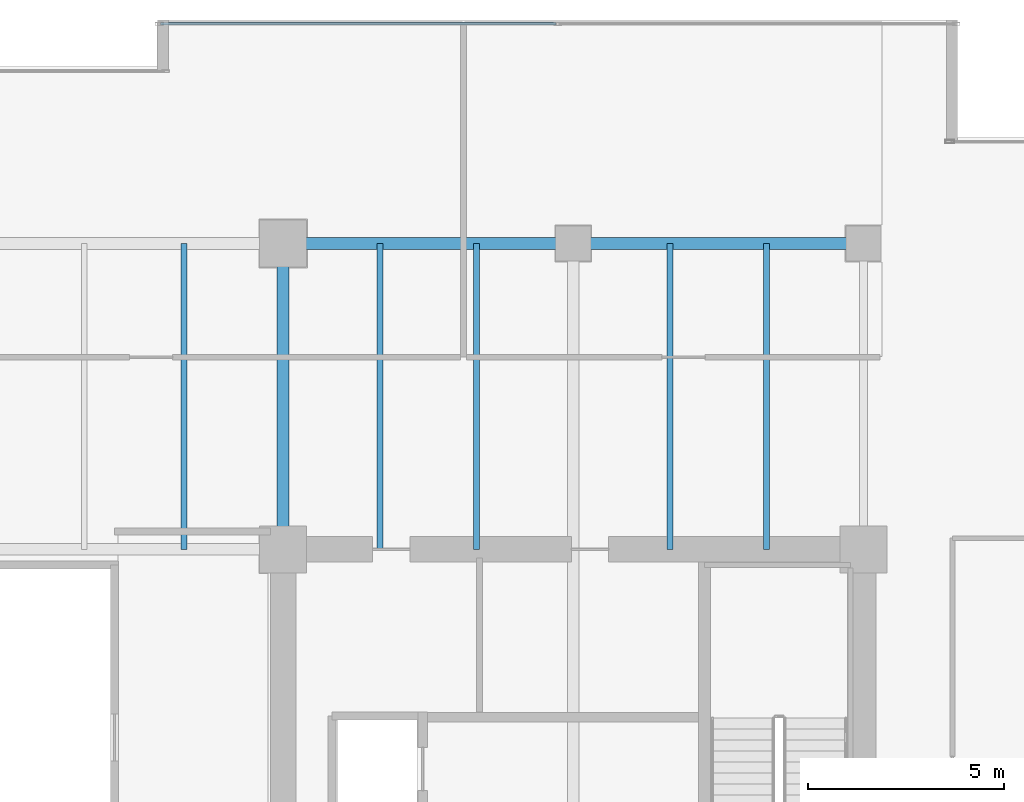
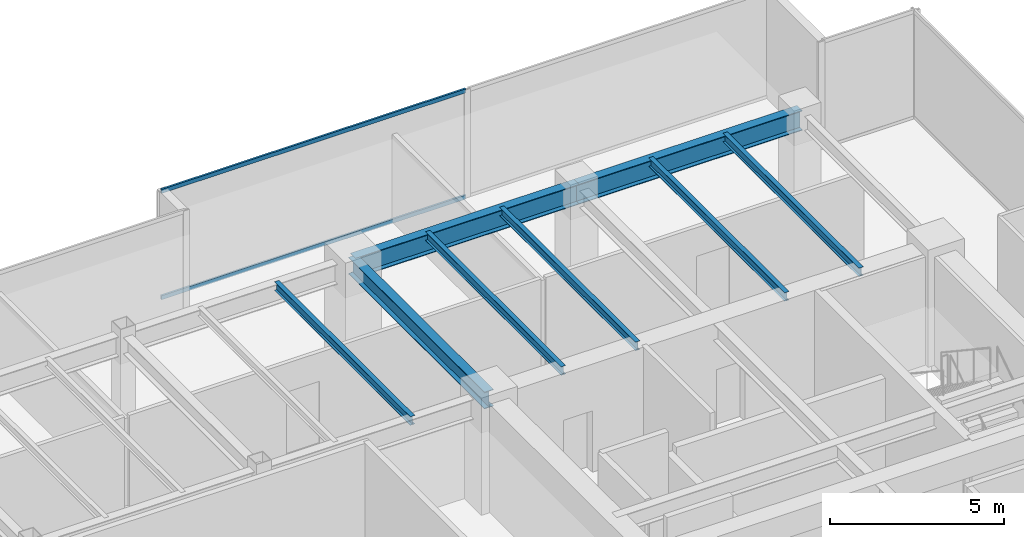
# One storey, part 19 of 34: 8 beams, 2 members, 1 element without a shape of its own.
"""IFC4 building model written with IfcOpenShell, lengths in metres."""

from ifc_helpers import new_model, si_unit, direction, frame, origin, origin_2d, place, context, subcontext, project, spatial, hollow_rectangle, i_section, extrude, source, transform, mapped, material, layer, layer_set, material_profile, profile_set, type_object, type_shapes, element, aggregate, save


model = new_model("IFC4")

# Units and contexts
model_context = context("Model", 3, precision=1e-05, world=origin(), true_north=direction((0.0, 1.0)))
body_context = subcontext(model_context, "Body", "Model", "MODEL_VIEW")
ifc_project = project(units=[si_unit("LENGTHUNIT", "METRE"), si_unit("AREAUNIT", "SQUARE_METRE"), si_unit("VOLUMEUNIT", "CUBIC_METRE"), si_unit("PLANEANGLEUNIT", "RADIAN"), si_unit("MASSUNIT", "GRAM", prefix="KILO")], contexts=[model_context])

# Site, building, storey
site_placement = place(None, origin())
site = spatial("IfcSite", under=ifc_project, at=site_placement, CompositionType="ELEMENT")
building_placement = place(site_placement, origin())
building = spatial("IfcBuilding", under=site, at=building_placement, Name="Haelvirn Gate Laboratories", CompositionType="ELEMENT")
storey_placement = place(building_placement, frame((0.0, 0.0, 178.89990234375)))
storey = spatial("IfcBuildingStorey", under=building, at=storey_placement, Name="L43", CompositionType="ELEMENT", Elevation=178.89990234375)

# Beams
ifc_material_1 = material(Name="Steel SM355", Category="steel")
ifc_material_profile_1 = material_profile(ifc_material_1, i_section(OverallWidth=0.300048828125, OverallDepth=0.699951171875, WebThickness=0.012939453125, FlangeThickness=0.02392578125, at=origin_2d()), Name="H-700x300x13x24")
ifc_profile_set_1 = profile_set([ifc_material_profile_1], Name="Steel SM355")
beam_type_1 = type_object("IfcBeamType", Name="BM-G-700", PredefinedType="BEAM", material=ifc_profile_set_1)
shared_shape_1 = source(origin(), body_context, "Body", "SweptSolid", [
    extrude(i_section(OverallWidth=0.300048828125, OverallDepth=0.699951171875, WebThickness=0.012939453125, FlangeThickness=0.02392578125, at=origin_2d()), origin(), (0.0, 0.0, 1.0), 7.39990234375),
])
type_shapes(beam_type_1, [shared_shape_1])
for number, where, z_axis, x_axis, name in (
    (1, (52.60009765625, 41.60009765625, 3.440185546875), (1.0, 0.0, 0.0), (0.0, 1.0, 0.0), "L43 Primary Girder Y41.6 (52.6-60.0)"),
    (2, (60.0, 41.60009765625, 3.440185546875), (1.0, 0.0, 0.0), (0.0, 1.0, 0.0), "L43 Primary Girder Y41.6 (60.0-67.4)"),
):
    element("IfcBeam", number, at=place(storey_placement, frame(where, z_axis=z_axis, x_axis=x_axis)), inside=storey, type_object=beam_type_1, Name=name, PredefinedType="BEAM", context=body_context, shape_type="MappedRepresentation", body=[
        mapped(shared_shape_1, transform((0.0, 0.0, 0.0), scale=1.0)),
    ])
ifc_material_profile_2 = material_profile(ifc_material_1, i_section(OverallWidth=0.14990234375, OverallDepth=0.300048828125, WebThickness=0.006591796875, FlangeThickness=0.009033203125, at=origin_2d()), Name="H-300x150x6.5x9")
ifc_profile_set_2 = profile_set([ifc_material_profile_2], Name="Steel SM355")
beam_type_2 = type_object("IfcBeamType", Name="BM-J-300", PredefinedType="JOIST", material=ifc_profile_set_2)
shared_shape_2 = source(origin(), body_context, "Body", "SweptSolid", [
    extrude(i_section(OverallWidth=0.14990234375, OverallDepth=0.300048828125, WebThickness=0.006591796875, FlangeThickness=0.009033203125, at=origin_2d()), origin(), (0.0, 0.0, 1.0), 7.800048828125),
])
type_shapes(beam_type_2, [shared_shape_2])
for number, where, z_axis, x_axis, name in (
    (3, (50.070068359375, 33.800048828125, 3.64013671875), (0.0, 1.0, 0.0), (-1.0, 0.0, 0.0), "L43 Composite Lab Joist North X50.07"),
    (4, (55.070068359375, 33.800048828125, 3.64013671875), (0.0, 1.0, 0.0), (-1.0, 0.0, 0.0), "L43 Composite Lab Joist North X55.07"),
    (5, (57.530029296875, 33.800048828125, 3.64013671875), (0.0, 1.0, 0.0), (-1.0, 0.0, 0.0), "L43 Composite Lab Joist North X57.53"),
    (6, (62.469970703125, 33.800048828125, 3.64013671875), (0.0, 1.0, 0.0), (-1.0, 0.0, 0.0), "L43 Composite Lab Joist North X62.47"),
    (7, (64.929931640625, 33.800048828125, 3.64013671875), (0.0, 1.0, 0.0), (-1.0, 0.0, 0.0), "L43 Composite Lab Joist North X64.93"),
):
    element("IfcBeam", number, at=place(storey_placement, frame(where, z_axis=z_axis, x_axis=x_axis)), inside=storey, type_object=beam_type_2, Name=name, PredefinedType="JOIST", context=body_context, shape_type="MappedRepresentation", body=[
        mapped(shared_shape_2, transform((0.0, 0.0, 0.0), scale=1.0)),
    ])
ifc_material_profile_3 = material_profile(ifc_material_1, i_section(OverallWidth=0.300048828125, OverallDepth=0.587890625, WebThickness=0.011962890625, FlangeThickness=0.02001953125, at=origin_2d()), Name="H-588x300x12x20")
ifc_profile_set_3 = profile_set([ifc_material_profile_3], Name="Steel SM355")
beam_type_3 = type_object("IfcBeamType", Name="BM-G-588", PredefinedType="BEAM", material=ifc_profile_set_3)
shared_shape_3 = source(origin(), body_context, "Body", "SweptSolid", [
    extrude(i_section(OverallWidth=0.300048828125, OverallDepth=0.587890625, WebThickness=0.011962890625, FlangeThickness=0.02001953125, at=origin_2d()), origin(), (0.0, 0.0, 1.0), 7.800048828125),
])
type_shapes(beam_type_3, [shared_shape_3])
beam_placement = place(storey_placement, frame((52.60009765625, 33.800048828125, 3.49609375), z_axis=(0.0, 1.0, 0.0), x_axis=(-1.0, 0.0, 0.0)))
element("IfcBeam", 8, at=beam_placement, inside=storey, type_object=beam_type_3, Name="L43 Frame Girder X52.6 (33.8-41.6)", PredefinedType="BEAM", context=body_context, shape_type="MappedRepresentation", body=[
    mapped(shared_shape_3, transform((0.0, 0.0, 0.0), scale=1.0)),
])

# Curtain wall, members
ifc_material_2 = material(Name="Anodised bronze unitised aluminium & triple low-E glass", Category="aluminium")
ifc_layer = layer(ifc_material_2, 0.179931640625, Name="CW-SYS-3")
ifc_layer_set = layer_set([ifc_layer], Name="Anodised bronze unitised aluminium & triple low-E glass")
curtain_wall_type = type_object("IfcCurtainWallType", Name="CW-SYS-3", PredefinedType="NOTDEFINED", material=ifc_layer_set)
curtain_wall_placement = place(storey_placement, origin())
curtain_wall = element("IfcCurtainWall", 9, at=curtain_wall_placement, inside=storey, type_object=curtain_wall_type, Name="L43 Unitised Curtain Wall CW-L43-P0-E10-1", PredefinedType="NOTDEFINED")
ifc_material_3 = material(Name="Extruded aluminium 6063-T6 (anodised bronze)", Category="aluminium")
ifc_material_profile_4 = material_profile(ifc_material_3, hollow_rectangle(XDim=0.06494140625, YDim=0.139892578125, WallThickness=0.00390625, at=origin_2d()), Name="CWT-140x65x4")
ifc_profile_set_4 = profile_set([ifc_material_profile_4], Name="Extruded aluminium 6063-T6 (anodised bronze)")
member_type = type_object("IfcMemberType", Name="CWT-T140", PredefinedType="USERDEFINED", material=ifc_profile_set_4)
shared_shape_4 = source(origin(), body_context, "Body", "SweptSolid", [
    extrude(hollow_rectangle(XDim=0.06494140625, YDim=0.139892578125, WallThickness=0.00390625, at=origin_2d()), origin(), (0.0, 0.0, 1.0), 10.08740234375),
])
type_shapes(member_type, [shared_shape_4])
member_1_placement = place(storey_placement, frame((49.47509765625, 47.199951171875, 0.03271484375), z_axis=(1.0, 0.0, 0.0), x_axis=(0.0, 1.0, 0.0)))
member_1 = element("IfcMember", 10, at=member_1_placement, type_object=member_type, Name="CW3 transom 1.1", ObjectType="TRANSOM", PredefinedType="USERDEFINED", context=body_context, shape_type="MappedRepresentation", body=[
    mapped(shared_shape_4, transform((0.0, 0.0, 0.0), scale=1.0)),
])
member_2_placement = place(storey_placement, frame((49.47509765625, 47.199951171875, 3.757568359375), z_axis=(1.0, 0.0, 0.0), x_axis=(0.0, 1.0, 0.0)))
member_2 = element("IfcMember", 11, at=member_2_placement, type_object=member_type, Name="CW3 transom 1.2", ObjectType="TRANSOM", PredefinedType="USERDEFINED", context=body_context, shape_type="MappedRepresentation", body=[
    mapped(shared_shape_4, transform((0.0, 0.0, 0.0), scale=1.0)),
])
aggregate(curtain_wall, [member_1, member_2])

save(model, "model.ifc")
